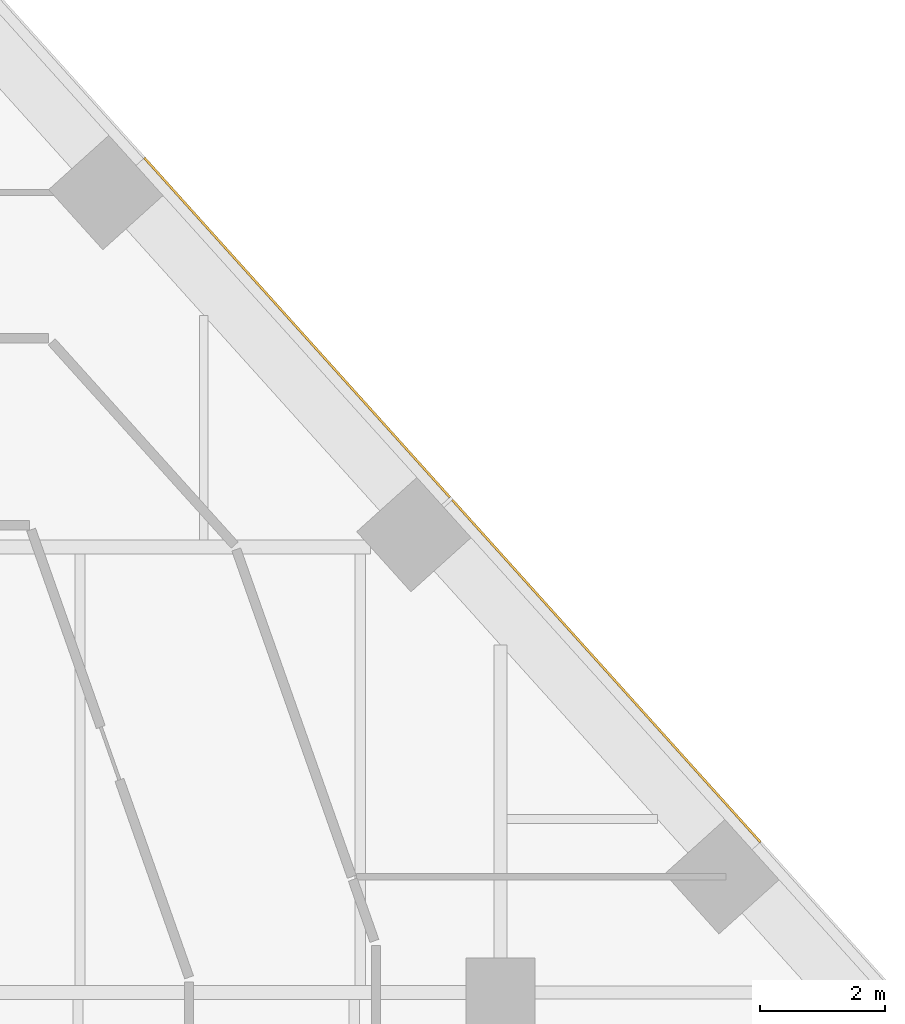
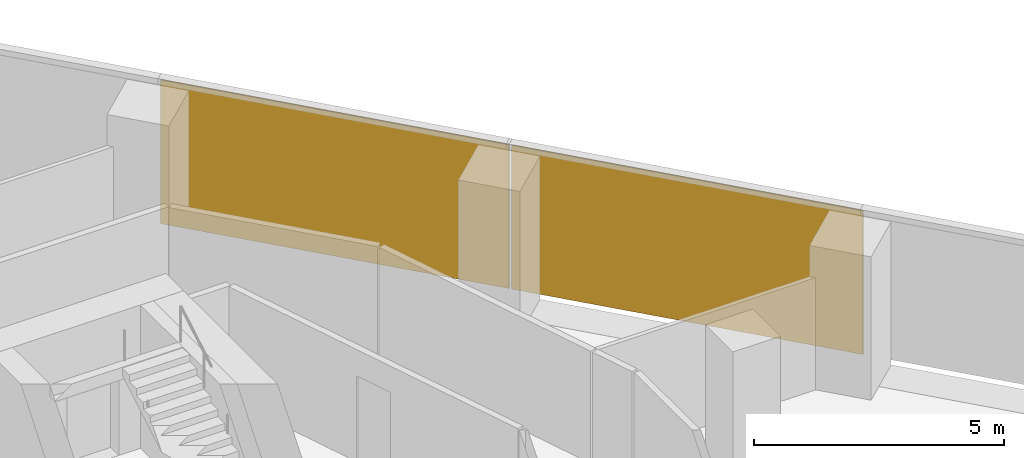
# One storey, part 16 of 16: 2 coverings, 1 element without a shape of its own.
"""IFC4 building model written with IfcOpenShell, lengths in metres."""

from ifc_helpers import new_model, si_unit, direction, frame, origin, origin_2d, place, context, subcontext, project, spatial, rectangle, extrude, material, layer, layer_set, type_object, element, aggregate, save


model = new_model("IFC4")

# Units and contexts
model_context = context("Model", 3, precision=1e-05, world=origin(), true_north=direction((0.0, 1.0)))
body_context = subcontext(model_context, "Body", "Model", "MODEL_VIEW")
ifc_project = project(units=[si_unit("LENGTHUNIT", "METRE"), si_unit("AREAUNIT", "SQUARE_METRE"), si_unit("VOLUMEUNIT", "CUBIC_METRE"), si_unit("PLANEANGLEUNIT", "RADIAN"), si_unit("MASSUNIT", "GRAM", prefix="KILO")], contexts=[model_context])

# Site, building, storey
site_placement = place(None, origin())
site = spatial("IfcSite", under=ifc_project, at=site_placement, CompositionType="ELEMENT")
building_placement = place(site_placement, origin())
building = spatial("IfcBuilding", under=site, at=building_placement, Name="Isthmus Gate Tower", CompositionType="ELEMENT")
storey_placement = place(building_placement, frame((0.0, 0.0, 185.39990234375)))
storey = spatial("IfcBuildingStorey", under=building, at=storey_placement, Name="L46", CompositionType="ELEMENT", Elevation=185.39990234375)

# Curtain wall, coverings
ifc_material_1 = material(Name="Aluminium, pale champagne anodised", Category="aluminium")
ifc_layer_1 = layer(ifc_material_1, 0.199951171875)
ifc_layer_set_1 = layer_set([ifc_layer_1], Name="CW-1 UNITISED CURTAIN WALL 200 DEEP")
curtain_wall_type = type_object("IfcCurtainWallType", Name="CW-1 UNITISED CURTAIN WALL 200 DEEP", PredefinedType="NOTDEFINED", material=ifc_layer_set_1)
curtain_wall_placement = place(storey_placement, origin())
curtain_wall = element("IfcCurtainWall", 1, at=curtain_wall_placement, inside=storey, type_object=curtain_wall_type, Name="CW-1 NE L46", PredefinedType="NOTDEFINED")
ifc_material_2 = material(Name="Aluminium composite panel, pale champagne anodised", Category="aluminium")
ifc_layer_2 = layer(ifc_material_2, 0.035888671875)
ifc_layer_set_2 = layer_set([ifc_layer_2], Name="CW-1 PALE METAL PANEL 36")
covering_type = type_object("IfcCoveringType", Name="CW-1 PALE METAL PANEL 36", PredefinedType="CLADDING", material=ifc_layer_set_2)
covering_1_placement = place(storey_placement, frame((25.70068359375, 12.659423828125, 0.0), z_axis=(0.0, 0.0, 1.0), x_axis=(-0.669130606359, 0.743144825477, 0.0)))
covering_1 = element("IfcCovering", 2, at=covering_1_placement, type_object=covering_type, Name="CW-1 pale metal panel", PredefinedType="CLADDING", context=body_context, shape_type="SweptSolid", body=[
    extrude(rectangle(XDim=7.390869140625, YDim=0.035888671875, at=origin_2d()), origin(), (0.0, 0.0, 1.0), 3.510009765625),
])
covering_2_placement = place(storey_placement, frame((20.735107421875, 18.17431640625, 0.0), z_axis=(0.0, 0.0, 1.0), x_axis=(-0.669130606359, 0.743144825477, 0.0)))
covering_2 = element("IfcCovering", 3, at=covering_2_placement, type_object=covering_type, Name="CW-1 pale metal panel", PredefinedType="CLADDING", context=body_context, shape_type="SweptSolid", body=[
    extrude(rectangle(XDim=7.330810546875, YDim=0.035888671875, at=origin_2d()), origin(), (0.0, 0.0, 1.0), 3.510009765625),
])
aggregate(curtain_wall, [covering_1, covering_2])

save(model, "model.ifc")
